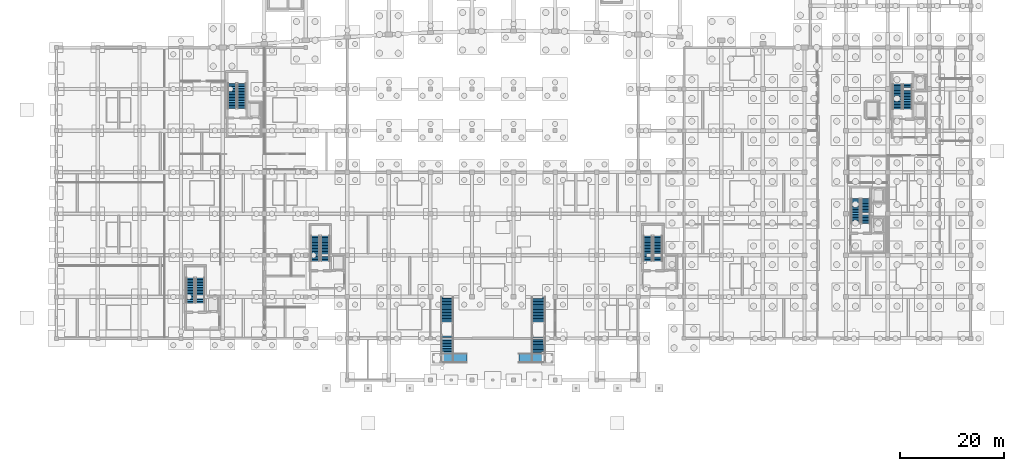
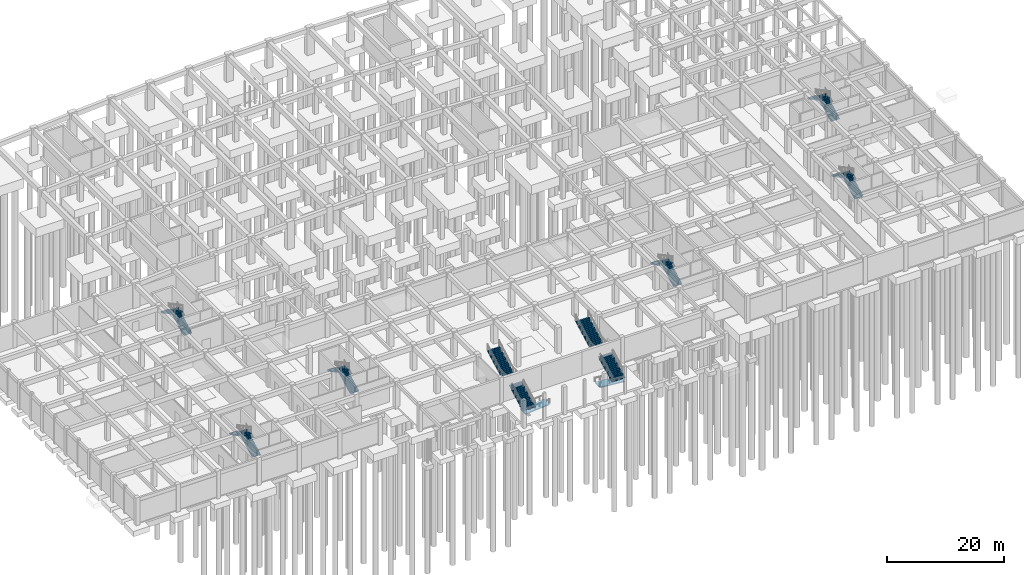
# One storey, part 32 of 45: 16 stair flights, 2 ramp flights, 10 elements without a shape of their own.
"""IFC4 building model written with IfcOpenShell, lengths in metres."""

from ifc_helpers import new_model, si_unit, direction, frame, origin, place, context, subcontext, project, spatial, polyline, outline, extrude, material, layer, layer_set, type_object, element, aggregate, save


model = new_model("IFC4")

# Units and contexts
model_context = context("Model", 3, precision=1e-05, world=origin(), true_north=direction((0.0, 1.0)))
body_context = subcontext(model_context, "Body", "Model", "MODEL_VIEW")
ifc_project = project(units=[si_unit("LENGTHUNIT", "METRE"), si_unit("AREAUNIT", "SQUARE_METRE"), si_unit("VOLUMEUNIT", "CUBIC_METRE"), si_unit("PLANEANGLEUNIT", "RADIAN"), si_unit("MASSUNIT", "GRAM", prefix="KILO")], contexts=[model_context])

# Site, building, storey
site_placement = place(None, origin())
site = spatial("IfcSite", under=ifc_project, at=site_placement, CompositionType="ELEMENT")
building_placement = place(site_placement, origin())
building = spatial("IfcBuilding", under=site, at=building_placement, Name="Kenh Van Central Station", CompositionType="ELEMENT")
storey_placement = place(building_placement, frame((0.0, 0.0, -5.39990234375)))
storey = spatial("IfcBuildingStorey", under=building, at=storey_placement, Name="B1", CompositionType="ELEMENT", Elevation=-5.39990234375)

# Stair, stair flights
ifc_material_1 = material(Name="Concrete C35/45", Category="concrete")
stair_type_1 = type_object("IfcStairType", Name="STR-DLG-1650", PredefinedType="HALF_TURN_STAIR", material=ifc_material_1)
stair_1_placement = place(storey_placement, origin())
stair_1 = element("IfcStair", 1, at=stair_1_placement, inside=storey, type_object=stair_type_1, Name="B1 West Retail South Exit Core", PredefinedType="HALF_TURN_STAIR")
ifc_layer_1 = layer(ifc_material_1, 0.179931640625, Name="Concrete C35/45")
ifc_layer_set_1 = layer_set([ifc_layer_1], Name="Concrete C35/45")
stair_flight_type_1 = type_object("IfcStairFlightType", Name="FLT-DLG-1650", PredefinedType="STRAIGHT", material=ifc_layer_set_1)
stair_flight_1_placement = place(storey_placement, frame((27.675048828125, 14.85009765625, 0.0), z_axis=(0.0, 0.0, 1.0), x_axis=(0.0, 1.0, 0.0)))
stair_flight_1 = element("IfcStairFlight", 2, at=stair_flight_1_placement, type_object=stair_flight_type_1, Name="ST-01 flight 1", NumberOfRisers=17, NumberOfTreads=16, PredefinedType="STRAIGHT", RiserHeight=0.158823529, TreadLength=0.3, context=body_context, shape_type="SweptSolid", body=[
    extrude(outline(polyline([(0.0, 0.0), (0.0, 0.158935546875), (0.300048828125, 0.158935546875), (0.300048828125, 0.317626953125), (0.60009765625, 0.317626953125), (0.60009765625, 0.4765625), (0.89990234375, 0.4765625), (0.89990234375, 0.63525390625), (1.199951171875, 0.63525390625), (1.199951171875, 0.794189453125), (1.5, 0.794189453125), (1.5, 0.952880859375), (1.800048828125, 0.952880859375), (1.800048828125, 1.11181640625), (2.10009765625, 1.11181640625), (2.10009765625, 1.2705078125), (2.39990234375, 1.2705078125), (2.39990234375, 1.429443359375), (2.699951171875, 1.429443359375), (2.699951171875, 1.588134765625), (3.0, 1.588134765625), (3.0, 1.7470703125), (3.300048828125, 1.7470703125), (3.300048828125, 1.90576171875), (3.60009765625, 1.90576171875), (3.60009765625, 2.064697265625), (3.89990234375, 2.064697265625), (3.89990234375, 2.2236328125), (4.199951171875, 2.2236328125), (4.199951171875, 2.38232421875), (4.5, 2.38232421875), (4.5, 2.541259765625), (4.800048828125, 2.541259765625), (4.800048828125, 2.699951171875), (4.800048828125, 2.337646484375), (0.384521484375, 0.0), (0.0, 0.0)])), frame((0.0, 0.824951171875, 0.0), z_axis=(0.0, -1.0, 0.0), x_axis=(1.0, 0.0, 0.0)), (0.0, 0.0, 1.0), 1.64990234375),
])
stair_flight_2_placement = place(storey_placement, frame((25.824951171875, 19.64990234375, 2.699951171875), z_axis=(0.0, 0.0, 1.0), x_axis=(0.0, -1.0, 0.0)))
stair_flight_2 = element("IfcStairFlight", 3, at=stair_flight_2_placement, type_object=stair_flight_type_1, Name="ST-01 flight 2", NumberOfRisers=17, NumberOfTreads=16, PredefinedType="STRAIGHT", RiserHeight=0.158823529, TreadLength=0.3, context=body_context, shape_type="SweptSolid", body=[
    extrude(outline(polyline([(0.0, 0.0), (0.0, 0.158935546875), (0.300048828125, 0.158935546875), (0.300048828125, 0.317626953125), (0.60009765625, 0.317626953125), (0.60009765625, 0.4765625), (0.89990234375, 0.4765625), (0.89990234375, 0.63525390625), (1.199951171875, 0.63525390625), (1.199951171875, 0.794189453125), (1.5, 0.794189453125), (1.5, 0.952880859375), (1.800048828125, 0.952880859375), (1.800048828125, 1.11181640625), (2.10009765625, 1.11181640625), (2.10009765625, 1.2705078125), (2.39990234375, 1.2705078125), (2.39990234375, 1.429443359375), (2.699951171875, 1.429443359375), (2.699951171875, 1.588134765625), (3.0, 1.588134765625), (3.0, 1.7470703125), (3.300048828125, 1.7470703125), (3.300048828125, 1.90576171875), (3.60009765625, 1.90576171875), (3.60009765625, 2.064697265625), (3.89990234375, 2.064697265625), (3.89990234375, 2.2236328125), (4.199951171875, 2.2236328125), (4.199951171875, 2.38232421875), (4.5, 2.38232421875), (4.5, 2.541259765625), (4.800048828125, 2.541259765625), (4.800048828125, 2.699951171875), (4.800048828125, 2.337646484375), (0.384521484375, 0.0), (0.0, 0.0)])), frame((0.0, 0.824951171875, 0.0), z_axis=(0.0, -1.0, 0.0), x_axis=(1.0, 0.0, 0.0)), (0.0, 0.0, 1.0), 1.64990234375),
])
aggregate(stair_1, [stair_flight_1, stair_flight_2])

stair_2_placement = place(storey_placement, origin())
stair_2 = element("IfcStair", 4, at=stair_2_placement, inside=storey, type_object=stair_type_1, Name="B1 West Retail North Exit Core", PredefinedType="HALF_TURN_STAIR")
stair_flight_3_placement = place(storey_placement, frame((35.675048828125, 52.25, 0.0), z_axis=(0.0, 0.0, 1.0), x_axis=(0.0, 1.0, 0.0)))
stair_flight_3 = element("IfcStairFlight", 5, at=stair_flight_3_placement, type_object=stair_flight_type_1, Name="ST-02 flight 1", NumberOfRisers=17, NumberOfTreads=16, PredefinedType="STRAIGHT", RiserHeight=0.158823529, TreadLength=0.3, context=body_context, shape_type="SweptSolid", body=[
    extrude(outline(polyline([(0.0, 0.0), (0.0, 0.158935546875), (0.300048828125, 0.158935546875), (0.300048828125, 0.317626953125), (0.60009765625, 0.317626953125), (0.60009765625, 0.4765625), (0.89990234375, 0.4765625), (0.89990234375, 0.63525390625), (1.199951171875, 0.63525390625), (1.199951171875, 0.794189453125), (1.5, 0.794189453125), (1.5, 0.952880859375), (1.800048828125, 0.952880859375), (1.800048828125, 1.11181640625), (2.10009765625, 1.11181640625), (2.10009765625, 1.2705078125), (2.39990234375, 1.2705078125), (2.39990234375, 1.429443359375), (2.699951171875, 1.429443359375), (2.699951171875, 1.588134765625), (3.0, 1.588134765625), (3.0, 1.7470703125), (3.300048828125, 1.7470703125), (3.300048828125, 1.90576171875), (3.60009765625, 1.90576171875), (3.60009765625, 2.064697265625), (3.89990234375, 2.064697265625), (3.89990234375, 2.2236328125), (4.199951171875, 2.2236328125), (4.199951171875, 2.38232421875), (4.5, 2.38232421875), (4.5, 2.541259765625), (4.800048828125, 2.541259765625), (4.800048828125, 2.699951171875), (4.800048828125, 2.337646484375), (0.384521484375, 0.0), (0.0, 0.0)])), frame((0.0, 0.824951171875, 0.0), z_axis=(0.0, -1.0, 0.0), x_axis=(1.0, 0.0, 0.0)), (0.0, 0.0, 1.0), 1.64990234375),
])
stair_flight_4_placement = place(storey_placement, frame((33.824951171875, 57.050048828125, 2.699951171875), z_axis=(0.0, 0.0, 1.0), x_axis=(0.0, -1.0, 0.0)))
stair_flight_4 = element("IfcStairFlight", 6, at=stair_flight_4_placement, type_object=stair_flight_type_1, Name="ST-02 flight 2", NumberOfRisers=17, NumberOfTreads=16, PredefinedType="STRAIGHT", RiserHeight=0.158823529, TreadLength=0.3, context=body_context, shape_type="SweptSolid", body=[
    extrude(outline(polyline([(0.0, 0.0), (0.0, 0.158935546875), (0.300048828125, 0.158935546875), (0.300048828125, 0.317626953125), (0.60009765625, 0.317626953125), (0.60009765625, 0.4765625), (0.89990234375, 0.4765625), (0.89990234375, 0.63525390625), (1.199951171875, 0.63525390625), (1.199951171875, 0.794189453125), (1.5, 0.794189453125), (1.5, 0.952880859375), (1.800048828125, 0.952880859375), (1.800048828125, 1.11181640625), (2.10009765625, 1.11181640625), (2.10009765625, 1.2705078125), (2.39990234375, 1.2705078125), (2.39990234375, 1.429443359375), (2.699951171875, 1.429443359375), (2.699951171875, 1.588134765625), (3.0, 1.588134765625), (3.0, 1.7470703125), (3.300048828125, 1.7470703125), (3.300048828125, 1.90576171875), (3.60009765625, 1.90576171875), (3.60009765625, 2.064697265625), (3.89990234375, 2.064697265625), (3.89990234375, 2.2236328125), (4.199951171875, 2.2236328125), (4.199951171875, 2.38232421875), (4.5, 2.38232421875), (4.5, 2.541259765625), (4.800048828125, 2.541259765625), (4.800048828125, 2.699951171875), (4.800048828125, 2.337646484375), (0.384521484375, 0.0), (0.0, 0.0)])), frame((0.0, 0.824951171875, 0.0), z_axis=(0.0, -1.0, 0.0), x_axis=(1.0, 0.0, 0.0)), (0.0, 0.0, 1.0), 1.64990234375),
])
aggregate(stair_2, [stair_flight_3, stair_flight_4])

stair_type_2 = type_object("IfcStairType", Name="STR-DLG-1700", PredefinedType="HALF_TURN_STAIR", material=ifc_material_1)
stair_3_placement = place(storey_placement, origin())
stair_3 = element("IfcStair", 7, at=stair_3_placement, inside=storey, type_object=stair_type_2, Name="B1 Ticket Hall West Exit Core", PredefinedType="HALF_TURN_STAIR")
ifc_layer_2 = layer(ifc_material_1, 0.179931640625, Name="Concrete C35/45")
ifc_layer_set_2 = layer_set([ifc_layer_2], Name="Concrete C35/45")
stair_flight_type_2 = type_object("IfcStairFlightType", Name="FLT-DLG-1700", PredefinedType="STRAIGHT", material=ifc_layer_set_2)
stair_flight_5_placement = place(storey_placement, frame((51.75, 22.89990234375, 0.0), z_axis=(0.0, 0.0, 1.0), x_axis=(0.0, 1.0, 0.0)))
stair_flight_5 = element("IfcStairFlight", 8, at=stair_flight_5_placement, type_object=stair_flight_type_2, Name="ST-03 flight 1", NumberOfRisers=17, NumberOfTreads=16, PredefinedType="STRAIGHT", RiserHeight=0.158823529, TreadLength=0.3, context=body_context, shape_type="SweptSolid", body=[
    extrude(outline(polyline([(0.0, 0.0), (0.0, 0.158935546875), (0.300048828125, 0.158935546875), (0.300048828125, 0.317626953125), (0.60009765625, 0.317626953125), (0.60009765625, 0.4765625), (0.89990234375, 0.4765625), (0.89990234375, 0.63525390625), (1.199951171875, 0.63525390625), (1.199951171875, 0.794189453125), (1.5, 0.794189453125), (1.5, 0.952880859375), (1.800048828125, 0.952880859375), (1.800048828125, 1.11181640625), (2.10009765625, 1.11181640625), (2.10009765625, 1.2705078125), (2.39990234375, 1.2705078125), (2.39990234375, 1.429443359375), (2.699951171875, 1.429443359375), (2.699951171875, 1.588134765625), (3.0, 1.588134765625), (3.0, 1.7470703125), (3.300048828125, 1.7470703125), (3.300048828125, 1.90576171875), (3.60009765625, 1.90576171875), (3.60009765625, 2.064697265625), (3.89990234375, 2.064697265625), (3.89990234375, 2.2236328125), (4.199951171875, 2.2236328125), (4.199951171875, 2.38232421875), (4.5, 2.38232421875), (4.5, 2.541259765625), (4.800048828125, 2.541259765625), (4.800048828125, 2.699951171875), (4.800048828125, 2.337646484375), (0.384521484375, 0.0), (0.0, 0.0)])), frame((0.0, 0.85009765625, 0.0), z_axis=(0.0, -1.0, 0.0), x_axis=(1.0, 0.0, 0.0)), (0.0, 0.0, 1.0), 1.699951171875),
])
stair_flight_6_placement = place(storey_placement, frame((49.85009765625, 27.699951171875, 2.699951171875), z_axis=(0.0, 0.0, 1.0), x_axis=(0.0, -1.0, 0.0)))
stair_flight_6 = element("IfcStairFlight", 9, at=stair_flight_6_placement, type_object=stair_flight_type_2, Name="ST-03 flight 2", NumberOfRisers=17, NumberOfTreads=16, PredefinedType="STRAIGHT", RiserHeight=0.158823529, TreadLength=0.3, context=body_context, shape_type="SweptSolid", body=[
    extrude(outline(polyline([(0.0, 0.0), (0.0, 0.158935546875), (0.300048828125, 0.158935546875), (0.300048828125, 0.317626953125), (0.60009765625, 0.317626953125), (0.60009765625, 0.4765625), (0.89990234375, 0.4765625), (0.89990234375, 0.63525390625), (1.199951171875, 0.63525390625), (1.199951171875, 0.794189453125), (1.5, 0.794189453125), (1.5, 0.952880859375), (1.800048828125, 0.952880859375), (1.800048828125, 1.11181640625), (2.10009765625, 1.11181640625), (2.10009765625, 1.2705078125), (2.39990234375, 1.2705078125), (2.39990234375, 1.429443359375), (2.699951171875, 1.429443359375), (2.699951171875, 1.588134765625), (3.0, 1.588134765625), (3.0, 1.7470703125), (3.300048828125, 1.7470703125), (3.300048828125, 1.90576171875), (3.60009765625, 1.90576171875), (3.60009765625, 2.064697265625), (3.89990234375, 2.064697265625), (3.89990234375, 2.2236328125), (4.199951171875, 2.2236328125), (4.199951171875, 2.38232421875), (4.5, 2.38232421875), (4.5, 2.541259765625), (4.800048828125, 2.541259765625), (4.800048828125, 2.699951171875), (4.800048828125, 2.337646484375), (0.384521484375, 0.0), (0.0, 0.0)])), frame((0.0, 0.85009765625, 0.0), z_axis=(0.0, -1.0, 0.0), x_axis=(1.0, 0.0, 0.0)), (0.0, 0.0, 1.0), 1.699951171875),
])
aggregate(stair_3, [stair_flight_5, stair_flight_6])

stair_4_placement = place(storey_placement, origin())
stair_4 = element("IfcStair", 10, at=stair_4_placement, inside=storey, type_object=stair_type_2, Name="B1 Ticket Hall East Exit Core", PredefinedType="HALF_TURN_STAIR")
stair_flight_7_placement = place(storey_placement, frame((115.75, 22.89990234375, 0.0), z_axis=(0.0, 0.0, 1.0), x_axis=(0.0, 1.0, 0.0)))
stair_flight_7 = element("IfcStairFlight", 11, at=stair_flight_7_placement, type_object=stair_flight_type_2, Name="ST-04 flight 1", NumberOfRisers=17, NumberOfTreads=16, PredefinedType="STRAIGHT", RiserHeight=0.158823529, TreadLength=0.3, context=body_context, shape_type="SweptSolid", body=[
    extrude(outline(polyline([(0.0, 0.0), (0.0, 0.158935546875), (0.300048828125, 0.158935546875), (0.300048828125, 0.317626953125), (0.60009765625, 0.317626953125), (0.60009765625, 0.4765625), (0.89990234375, 0.4765625), (0.89990234375, 0.63525390625), (1.199951171875, 0.63525390625), (1.199951171875, 0.794189453125), (1.5, 0.794189453125), (1.5, 0.952880859375), (1.800048828125, 0.952880859375), (1.800048828125, 1.11181640625), (2.10009765625, 1.11181640625), (2.10009765625, 1.2705078125), (2.39990234375, 1.2705078125), (2.39990234375, 1.429443359375), (2.699951171875, 1.429443359375), (2.699951171875, 1.588134765625), (3.0, 1.588134765625), (3.0, 1.7470703125), (3.300048828125, 1.7470703125), (3.300048828125, 1.90576171875), (3.60009765625, 1.90576171875), (3.60009765625, 2.064697265625), (3.89990234375, 2.064697265625), (3.89990234375, 2.2236328125), (4.199951171875, 2.2236328125), (4.199951171875, 2.38232421875), (4.5, 2.38232421875), (4.5, 2.541259765625), (4.800048828125, 2.541259765625), (4.800048828125, 2.699951171875), (4.800048828125, 2.337646484375), (0.384521484375, 0.0), (0.0, 0.0)])), frame((0.0, 0.85009765625, 0.0), z_axis=(0.0, -1.0, 0.0), x_axis=(1.0, 0.0, 0.0)), (0.0, 0.0, 1.0), 1.699951171875),
])
stair_flight_8_placement = place(storey_placement, frame((113.85009765625, 27.699951171875, 2.699951171875), z_axis=(0.0, 0.0, 1.0), x_axis=(0.0, -1.0, 0.0)))
stair_flight_8 = element("IfcStairFlight", 12, at=stair_flight_8_placement, type_object=stair_flight_type_2, Name="ST-04 flight 2", NumberOfRisers=17, NumberOfTreads=16, PredefinedType="STRAIGHT", RiserHeight=0.158823529, TreadLength=0.3, context=body_context, shape_type="SweptSolid", body=[
    extrude(outline(polyline([(0.0, 0.0), (0.0, 0.158935546875), (0.300048828125, 0.158935546875), (0.300048828125, 0.317626953125), (0.60009765625, 0.317626953125), (0.60009765625, 0.4765625), (0.89990234375, 0.4765625), (0.89990234375, 0.63525390625), (1.199951171875, 0.63525390625), (1.199951171875, 0.794189453125), (1.5, 0.794189453125), (1.5, 0.952880859375), (1.800048828125, 0.952880859375), (1.800048828125, 1.11181640625), (2.10009765625, 1.11181640625), (2.10009765625, 1.2705078125), (2.39990234375, 1.2705078125), (2.39990234375, 1.429443359375), (2.699951171875, 1.429443359375), (2.699951171875, 1.588134765625), (3.0, 1.588134765625), (3.0, 1.7470703125), (3.300048828125, 1.7470703125), (3.300048828125, 1.90576171875), (3.60009765625, 1.90576171875), (3.60009765625, 2.064697265625), (3.89990234375, 2.064697265625), (3.89990234375, 2.2236328125), (4.199951171875, 2.2236328125), (4.199951171875, 2.38232421875), (4.5, 2.38232421875), (4.5, 2.541259765625), (4.800048828125, 2.541259765625), (4.800048828125, 2.699951171875), (4.800048828125, 2.337646484375), (0.384521484375, 0.0), (0.0, 0.0)])), frame((0.0, 0.85009765625, 0.0), z_axis=(0.0, -1.0, 0.0), x_axis=(1.0, 0.0, 0.0)), (0.0, 0.0, 1.0), 1.699951171875),
])
aggregate(stair_4, [stair_flight_7, stair_flight_8])

stair_5_placement = place(storey_placement, origin())
stair_5 = element("IfcStair", 13, at=stair_5_placement, inside=storey, type_object=stair_type_2, Name="B1 Operations South Firefighting Core", PredefinedType="HALF_TURN_STAIR")
stair_flight_9_placement = place(storey_placement, frame((155.75, 30.10009765625, 0.0), z_axis=(0.0, 0.0, 1.0), x_axis=(0.0, 1.0, 0.0)))
stair_flight_9 = element("IfcStairFlight", 14, at=stair_flight_9_placement, type_object=stair_flight_type_2, Name="ST-09 flight 1", NumberOfRisers=17, NumberOfTreads=16, PredefinedType="STRAIGHT", RiserHeight=0.158823529, TreadLength=0.3, context=body_context, shape_type="SweptSolid", body=[
    extrude(outline(polyline([(0.0, 0.0), (0.0, 0.158935546875), (0.300048828125, 0.158935546875), (0.300048828125, 0.317626953125), (0.60009765625, 0.317626953125), (0.60009765625, 0.4765625), (0.89990234375, 0.4765625), (0.89990234375, 0.63525390625), (1.199951171875, 0.63525390625), (1.199951171875, 0.794189453125), (1.5, 0.794189453125), (1.5, 0.952880859375), (1.800048828125, 0.952880859375), (1.800048828125, 1.11181640625), (2.10009765625, 1.11181640625), (2.10009765625, 1.2705078125), (2.39990234375, 1.2705078125), (2.39990234375, 1.429443359375), (2.699951171875, 1.429443359375), (2.699951171875, 1.588134765625), (3.0, 1.588134765625), (3.0, 1.7470703125), (3.300048828125, 1.7470703125), (3.300048828125, 1.90576171875), (3.60009765625, 1.90576171875), (3.60009765625, 2.064697265625), (3.89990234375, 2.064697265625), (3.89990234375, 2.2236328125), (4.199951171875, 2.2236328125), (4.199951171875, 2.38232421875), (4.5, 2.38232421875), (4.5, 2.541259765625), (4.800048828125, 2.541259765625), (4.800048828125, 2.699951171875), (4.800048828125, 2.337646484375), (0.384521484375, 0.0), (0.0, 0.0)])), frame((0.0, 0.85009765625, 0.0), z_axis=(0.0, -1.0, 0.0), x_axis=(1.0, 0.0, 0.0)), (0.0, 0.0, 1.0), 1.699951171875),
])
stair_flight_10_placement = place(storey_placement, frame((153.85009765625, 34.89990234375, 2.699951171875), z_axis=(0.0, 0.0, 1.0), x_axis=(0.0, -1.0, 0.0)))
stair_flight_10 = element("IfcStairFlight", 15, at=stair_flight_10_placement, type_object=stair_flight_type_2, Name="ST-09 flight 2", NumberOfRisers=17, NumberOfTreads=16, PredefinedType="STRAIGHT", RiserHeight=0.158823529, TreadLength=0.3, context=body_context, shape_type="SweptSolid", body=[
    extrude(outline(polyline([(0.0, 0.0), (0.0, 0.158935546875), (0.300048828125, 0.158935546875), (0.300048828125, 0.317626953125), (0.60009765625, 0.317626953125), (0.60009765625, 0.4765625), (0.89990234375, 0.4765625), (0.89990234375, 0.63525390625), (1.199951171875, 0.63525390625), (1.199951171875, 0.794189453125), (1.5, 0.794189453125), (1.5, 0.952880859375), (1.800048828125, 0.952880859375), (1.800048828125, 1.11181640625), (2.10009765625, 1.11181640625), (2.10009765625, 1.2705078125), (2.39990234375, 1.2705078125), (2.39990234375, 1.429443359375), (2.699951171875, 1.429443359375), (2.699951171875, 1.588134765625), (3.0, 1.588134765625), (3.0, 1.7470703125), (3.300048828125, 1.7470703125), (3.300048828125, 1.90576171875), (3.60009765625, 1.90576171875), (3.60009765625, 2.064697265625), (3.89990234375, 2.064697265625), (3.89990234375, 2.2236328125), (4.199951171875, 2.2236328125), (4.199951171875, 2.38232421875), (4.5, 2.38232421875), (4.5, 2.541259765625), (4.800048828125, 2.541259765625), (4.800048828125, 2.699951171875), (4.800048828125, 2.337646484375), (0.384521484375, 0.0), (0.0, 0.0)])), frame((0.0, 0.85009765625, 0.0), z_axis=(0.0, -1.0, 0.0), x_axis=(1.0, 0.0, 0.0)), (0.0, 0.0, 1.0), 1.699951171875),
])
aggregate(stair_5, [stair_flight_9, stair_flight_10])

stair_type_3 = type_object("IfcStairType", Name="STR-DLG-1750", PredefinedType="HALF_TURN_STAIR", material=ifc_material_1)
stair_6_placement = place(storey_placement, origin())
stair_6 = element("IfcStair", 16, at=stair_6_placement, inside=storey, type_object=stair_type_3, Name="B1 Operations North Firefighting and Goods Core", PredefinedType="HALF_TURN_STAIR")
ifc_layer_3 = layer(ifc_material_1, 0.179931640625, Name="Concrete C35/45")
ifc_layer_set_3 = layer_set([ifc_layer_3], Name="Concrete C35/45")
stair_flight_type_3 = type_object("IfcStairFlightType", Name="FLT-DLG-1750", PredefinedType="STRAIGHT", material=ifc_layer_set_3)
stair_flight_11_placement = place(storey_placement, frame((163.824951171875, 52.14990234375, 0.0), z_axis=(0.0, 0.0, 1.0), x_axis=(0.0, 1.0, 0.0)))
stair_flight_11 = element("IfcStairFlight", 17, at=stair_flight_11_placement, type_object=stair_flight_type_3, Name="ST-10 flight 1", NumberOfRisers=17, NumberOfTreads=16, PredefinedType="STRAIGHT", RiserHeight=0.158823529, TreadLength=0.3, context=body_context, shape_type="SweptSolid", body=[
    extrude(outline(polyline([(0.0, 0.0), (0.0, 0.158935546875), (0.300048828125, 0.158935546875), (0.300048828125, 0.317626953125), (0.60009765625, 0.317626953125), (0.60009765625, 0.4765625), (0.89990234375, 0.4765625), (0.89990234375, 0.63525390625), (1.199951171875, 0.63525390625), (1.199951171875, 0.794189453125), (1.5, 0.794189453125), (1.5, 0.952880859375), (1.800048828125, 0.952880859375), (1.800048828125, 1.11181640625), (2.10009765625, 1.11181640625), (2.10009765625, 1.2705078125), (2.39990234375, 1.2705078125), (2.39990234375, 1.429443359375), (2.699951171875, 1.429443359375), (2.699951171875, 1.588134765625), (3.0, 1.588134765625), (3.0, 1.7470703125), (3.300048828125, 1.7470703125), (3.300048828125, 1.90576171875), (3.60009765625, 1.90576171875), (3.60009765625, 2.064697265625), (3.89990234375, 2.064697265625), (3.89990234375, 2.2236328125), (4.199951171875, 2.2236328125), (4.199951171875, 2.38232421875), (4.5, 2.38232421875), (4.5, 2.541259765625), (4.800048828125, 2.541259765625), (4.800048828125, 2.699951171875), (4.800048828125, 2.337646484375), (0.384521484375, 0.0), (0.0, 0.0)])), frame((0.0, 0.875, 0.0), z_axis=(0.0, -1.0, 0.0), x_axis=(1.0, 0.0, 0.0)), (0.0, 0.0, 1.0), 1.75),
])
stair_flight_12_placement = place(storey_placement, frame((161.875, 56.949951171875, 2.699951171875), z_axis=(0.0, 0.0, 1.0), x_axis=(0.0, -1.0, 0.0)))
stair_flight_12 = element("IfcStairFlight", 18, at=stair_flight_12_placement, type_object=stair_flight_type_3, Name="ST-10 flight 2", NumberOfRisers=17, NumberOfTreads=16, PredefinedType="STRAIGHT", RiserHeight=0.158823529, TreadLength=0.3, context=body_context, shape_type="SweptSolid", body=[
    extrude(outline(polyline([(0.0, 0.0), (0.0, 0.158935546875), (0.300048828125, 0.158935546875), (0.300048828125, 0.317626953125), (0.60009765625, 0.317626953125), (0.60009765625, 0.4765625), (0.89990234375, 0.4765625), (0.89990234375, 0.63525390625), (1.199951171875, 0.63525390625), (1.199951171875, 0.794189453125), (1.5, 0.794189453125), (1.5, 0.952880859375), (1.800048828125, 0.952880859375), (1.800048828125, 1.11181640625), (2.10009765625, 1.11181640625), (2.10009765625, 1.2705078125), (2.39990234375, 1.2705078125), (2.39990234375, 1.429443359375), (2.699951171875, 1.429443359375), (2.699951171875, 1.588134765625), (3.0, 1.588134765625), (3.0, 1.7470703125), (3.300048828125, 1.7470703125), (3.300048828125, 1.90576171875), (3.60009765625, 1.90576171875), (3.60009765625, 2.064697265625), (3.89990234375, 2.064697265625), (3.89990234375, 2.2236328125), (4.199951171875, 2.2236328125), (4.199951171875, 2.38232421875), (4.5, 2.38232421875), (4.5, 2.541259765625), (4.800048828125, 2.541259765625), (4.800048828125, 2.699951171875), (4.800048828125, 2.337646484375), (0.384521484375, 0.0), (0.0, 0.0)])), frame((0.0, 0.875, 0.0), z_axis=(0.0, -1.0, 0.0), x_axis=(1.0, 0.0, 0.0)), (0.0, 0.0, 1.0), 1.75),
])
aggregate(stair_6, [stair_flight_11, stair_flight_12])

ifc_material_2 = material(Name="Concrete C40/50", Category="concrete")
stair_type_4 = type_object("IfcStairType", Name="STR-PUB-2400", PredefinedType="STRAIGHT_RUN_STAIR", material=ifc_material_2)
stair_7_placement = place(storey_placement, origin())
stair_7 = element("IfcStair", 19, at=stair_7_placement, inside=storey, type_object=stair_type_4, Name="Metro Forecourt West Amphitheatre Stair", PredefinedType="STRAIGHT_RUN_STAIR")
ifc_layer_4 = layer(ifc_material_2, 0.199951171875, Name="Concrete C40/50")
ifc_layer_set_4 = layer_set([ifc_layer_4], Name="Concrete C40/50")
stair_flight_type_4 = type_object("IfcStairFlightType", Name="FLT-PUB-2400", PredefinedType="STRAIGHT", material=ifc_layer_set_4)
stair_flight_13_placement = place(storey_placement, frame((75.199951171875, 3.699951171875, 0.0), z_axis=(0.0, 0.0, 1.0), x_axis=(0.0, 1.0, 0.0)))
stair_flight_13 = element("IfcStairFlight", 20, at=stair_flight_13_placement, type_object=stair_flight_type_4, Name="ST-P1 flight 1", NumberOfRisers=17, NumberOfTreads=16, PredefinedType="STRAIGHT", RiserHeight=0.158823529, TreadLength=0.3, context=body_context, shape_type="SweptSolid", body=[
    extrude(outline(polyline([(0.0, 0.0), (0.0, 0.158935546875), (0.300048828125, 0.158935546875), (0.300048828125, 0.317626953125), (0.60009765625, 0.317626953125), (0.60009765625, 0.4765625), (0.89990234375, 0.4765625), (0.89990234375, 0.63525390625), (1.199951171875, 0.63525390625), (1.199951171875, 0.794189453125), (1.5, 0.794189453125), (1.5, 0.952880859375), (1.800048828125, 0.952880859375), (1.800048828125, 1.11181640625), (2.10009765625, 1.11181640625), (2.10009765625, 1.2705078125), (2.39990234375, 1.2705078125), (2.39990234375, 1.429443359375), (2.699951171875, 1.429443359375), (2.699951171875, 1.588134765625), (3.0, 1.588134765625), (3.0, 1.7470703125), (3.300048828125, 1.7470703125), (3.300048828125, 1.90576171875), (3.60009765625, 1.90576171875), (3.60009765625, 2.064697265625), (3.89990234375, 2.064697265625), (3.89990234375, 2.2236328125), (4.199951171875, 2.2236328125), (4.199951171875, 2.38232421875), (4.5, 2.38232421875), (4.5, 2.541259765625), (4.800048828125, 2.541259765625), (4.800048828125, 2.699951171875), (4.800048828125, 2.31494140625), (0.42724609375, 0.0), (0.0, 0.0)])), frame((0.0, 1.199951171875, 0.0), z_axis=(0.0, -1.0, 0.0), x_axis=(1.0, 0.0, 0.0)), (0.0, 0.0, 1.0), 2.39990234375),
])
stair_flight_14_placement = place(storey_placement, frame((75.199951171875, 11.199951171875, 2.699951171875), z_axis=(0.0, 0.0, 1.0), x_axis=(0.0, 1.0, 0.0)))
stair_flight_14 = element("IfcStairFlight", 21, at=stair_flight_14_placement, type_object=stair_flight_type_4, Name="ST-P1 flight 2", NumberOfRisers=17, NumberOfTreads=16, PredefinedType="STRAIGHT", RiserHeight=0.158823529, TreadLength=0.3, context=body_context, shape_type="SweptSolid", body=[
    extrude(outline(polyline([(0.0, 0.0), (0.0, 0.158935546875), (0.300048828125, 0.158935546875), (0.300048828125, 0.317626953125), (0.60009765625, 0.317626953125), (0.60009765625, 0.4765625), (0.89990234375, 0.4765625), (0.89990234375, 0.63525390625), (1.199951171875, 0.63525390625), (1.199951171875, 0.794189453125), (1.5, 0.794189453125), (1.5, 0.952880859375), (1.800048828125, 0.952880859375), (1.800048828125, 1.11181640625), (2.10009765625, 1.11181640625), (2.10009765625, 1.2705078125), (2.39990234375, 1.2705078125), (2.39990234375, 1.429443359375), (2.699951171875, 1.429443359375), (2.699951171875, 1.588134765625), (3.0, 1.588134765625), (3.0, 1.7470703125), (3.300048828125, 1.7470703125), (3.300048828125, 1.90576171875), (3.60009765625, 1.90576171875), (3.60009765625, 2.064697265625), (3.89990234375, 2.064697265625), (3.89990234375, 2.2236328125), (4.199951171875, 2.2236328125), (4.199951171875, 2.38232421875), (4.5, 2.38232421875), (4.5, 2.541259765625), (4.800048828125, 2.541259765625), (4.800048828125, 2.699951171875), (4.800048828125, 2.31494140625), (0.42724609375, 0.0), (0.0, 0.0)])), frame((0.0, 1.199951171875, 0.0), z_axis=(0.0, -1.0, 0.0), x_axis=(1.0, 0.0, 0.0)), (0.0, 0.0, 1.0), 2.39990234375),
])
aggregate(stair_7, [stair_flight_13, stair_flight_14])

stair_type_5 = type_object("IfcStairType", Name="STR-PUB-2600", PredefinedType="STRAIGHT_RUN_STAIR", material=ifc_material_2)
stair_8_placement = place(storey_placement, origin())
stair_8 = element("IfcStair", 22, at=stair_8_placement, inside=storey, type_object=stair_type_5, Name="Metro Forecourt East Amphitheatre Stair", PredefinedType="STRAIGHT_RUN_STAIR")
ifc_layer_5 = layer(ifc_material_2, 0.199951171875, Name="Concrete C40/50")
ifc_layer_set_5 = layer_set([ifc_layer_5], Name="Concrete C40/50")
stair_flight_type_5 = type_object("IfcStairFlightType", Name="FLT-PUB-2600", PredefinedType="STRAIGHT", material=ifc_layer_set_5)
stair_flight_15_placement = place(storey_placement, frame((92.800048828125, 3.5, 0.0), z_axis=(0.0, 0.0, 1.0), x_axis=(0.0, 1.0, 0.0)))
stair_flight_15 = element("IfcStairFlight", 23, at=stair_flight_15_placement, type_object=stair_flight_type_5, Name="ST-P2 flight 1", NumberOfRisers=17, NumberOfTreads=16, PredefinedType="STRAIGHT", RiserHeight=0.158823529, TreadLength=0.3, context=body_context, shape_type="SweptSolid", body=[
    extrude(outline(polyline([(0.0, 0.0), (0.0, 0.158935546875), (0.300048828125, 0.158935546875), (0.300048828125, 0.317626953125), (0.60009765625, 0.317626953125), (0.60009765625, 0.4765625), (0.89990234375, 0.4765625), (0.89990234375, 0.63525390625), (1.199951171875, 0.63525390625), (1.199951171875, 0.794189453125), (1.5, 0.794189453125), (1.5, 0.952880859375), (1.800048828125, 0.952880859375), (1.800048828125, 1.11181640625), (2.10009765625, 1.11181640625), (2.10009765625, 1.2705078125), (2.39990234375, 1.2705078125), (2.39990234375, 1.429443359375), (2.699951171875, 1.429443359375), (2.699951171875, 1.588134765625), (3.0, 1.588134765625), (3.0, 1.7470703125), (3.300048828125, 1.7470703125), (3.300048828125, 1.90576171875), (3.60009765625, 1.90576171875), (3.60009765625, 2.064697265625), (3.89990234375, 2.064697265625), (3.89990234375, 2.2236328125), (4.199951171875, 2.2236328125), (4.199951171875, 2.38232421875), (4.5, 2.38232421875), (4.5, 2.541259765625), (4.800048828125, 2.541259765625), (4.800048828125, 2.699951171875), (4.800048828125, 2.31494140625), (0.42724609375, 0.0), (0.0, 0.0)])), frame((0.0, 1.300048828125, 0.0), z_axis=(0.0, -1.0, 0.0), x_axis=(1.0, 0.0, 0.0)), (0.0, 0.0, 1.0), 2.60009765625),
])
stair_flight_16_placement = place(storey_placement, frame((92.800048828125, 11.199951171875, 2.699951171875), z_axis=(0.0, 0.0, 1.0), x_axis=(0.0, 1.0, 0.0)))
stair_flight_16 = element("IfcStairFlight", 24, at=stair_flight_16_placement, type_object=stair_flight_type_5, Name="ST-P2 flight 2", NumberOfRisers=17, NumberOfTreads=16, PredefinedType="STRAIGHT", RiserHeight=0.158823529, TreadLength=0.3, context=body_context, shape_type="SweptSolid", body=[
    extrude(outline(polyline([(0.0, 0.0), (0.0, 0.158935546875), (0.300048828125, 0.158935546875), (0.300048828125, 0.317626953125), (0.60009765625, 0.317626953125), (0.60009765625, 0.4765625), (0.89990234375, 0.4765625), (0.89990234375, 0.63525390625), (1.199951171875, 0.63525390625), (1.199951171875, 0.794189453125), (1.5, 0.794189453125), (1.5, 0.952880859375), (1.800048828125, 0.952880859375), (1.800048828125, 1.11181640625), (2.10009765625, 1.11181640625), (2.10009765625, 1.2705078125), (2.39990234375, 1.2705078125), (2.39990234375, 1.429443359375), (2.699951171875, 1.429443359375), (2.699951171875, 1.588134765625), (3.0, 1.588134765625), (3.0, 1.7470703125), (3.300048828125, 1.7470703125), (3.300048828125, 1.90576171875), (3.60009765625, 1.90576171875), (3.60009765625, 2.064697265625), (3.89990234375, 2.064697265625), (3.89990234375, 2.2236328125), (4.199951171875, 2.2236328125), (4.199951171875, 2.38232421875), (4.5, 2.38232421875), (4.5, 2.541259765625), (4.800048828125, 2.541259765625), (4.800048828125, 2.699951171875), (4.800048828125, 2.31494140625), (0.42724609375, 0.0), (0.0, 0.0)])), frame((0.0, 1.300048828125, 0.0), z_axis=(0.0, -1.0, 0.0), x_axis=(1.0, 0.0, 0.0)), (0.0, 0.0, 1.0), 2.60009765625),
])
aggregate(stair_8, [stair_flight_15, stair_flight_16])

# Ramp, ramp flight
ramp_type = type_object("IfcRampType", Name="RMP-ACC-1800", PredefinedType="STRAIGHT_RUN_RAMP", material=ifc_material_2)
ramp_1_placement = place(storey_placement, origin())
ramp_1 = element("IfcRamp", 25, at=ramp_1_placement, inside=storey, type_object=ramp_type, Name="Sunken Metro Plaza West Garden Ramp", PredefinedType="STRAIGHT_RUN_RAMP")
ifc_layer_6 = layer(ifc_material_2, 0.219970703125, Name="Concrete C40/50")
ifc_layer_set_6 = layer_set([ifc_layer_6], Name="Concrete C40/50")
ramp_flight_type = type_object("IfcRampFlightType", Name="RMF-ACC-1800", PredefinedType="STRAIGHT", material=ifc_layer_set_6)
ramp_flight_1_placement = place(storey_placement, frame((74.199951171875, 4.199951171875, -0.400146484375), z_axis=(0.0, 0.0, 1.0), x_axis=(1.0, 0.0, 0.0)))
ramp_flight_1 = element("IfcRampFlight", 26, at=ramp_flight_1_placement, type_object=ramp_flight_type, Name="Sunken Metro Plaza West Garden Ramp flight 1", PredefinedType="STRAIGHT", context=body_context, shape_type="SweptSolid", body=[
    extrude(outline(polyline([(0.0, 0.0), (0.0, -0.219970703125), (4.800048828125, 0.18017578125), (4.800048828125, 0.400146484375), (0.0, 0.0)])), frame((0.0, 0.89990234375, 0.0), z_axis=(0.0, -1.0, 0.0), x_axis=(1.0, 0.0, 0.0)), (0.0, 0.0, 1.0), 1.800048828125),
])
aggregate(ramp_1, [ramp_flight_1])

ramp_2_placement = place(storey_placement, origin())
ramp_2 = element("IfcRamp", 27, at=ramp_2_placement, inside=storey, type_object=ramp_type, Name="Sunken Metro Plaza East Garden Ramp", PredefinedType="STRAIGHT_RUN_RAMP")
ramp_flight_2_placement = place(storey_placement, frame((93.800048828125, 4.199951171875, -0.400146484375), z_axis=(0.0, 0.0, 1.0), x_axis=(-1.0, 0.0, 0.0)))
ramp_flight_2 = element("IfcRampFlight", 28, at=ramp_flight_2_placement, type_object=ramp_flight_type, Name="Sunken Metro Plaza East Garden Ramp flight 1", PredefinedType="STRAIGHT", context=body_context, shape_type="SweptSolid", body=[
    extrude(outline(polyline([(0.0, 0.0), (0.0, -0.219970703125), (4.800048828125, 0.18017578125), (4.800048828125, 0.400146484375), (0.0, 0.0)])), frame((0.0, 0.89990234375, 0.0), z_axis=(0.0, -1.0, 0.0), x_axis=(1.0, 0.0, 0.0)), (0.0, 0.0, 1.0), 1.800048828125),
])
aggregate(ramp_2, [ramp_flight_2])

save(model, "model.ifc")
